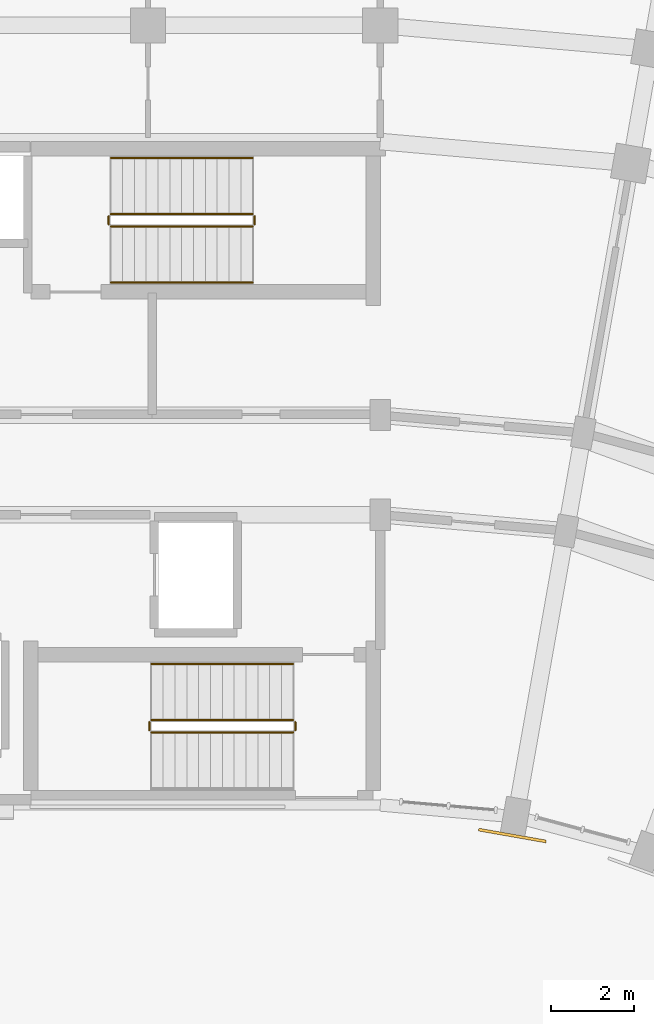
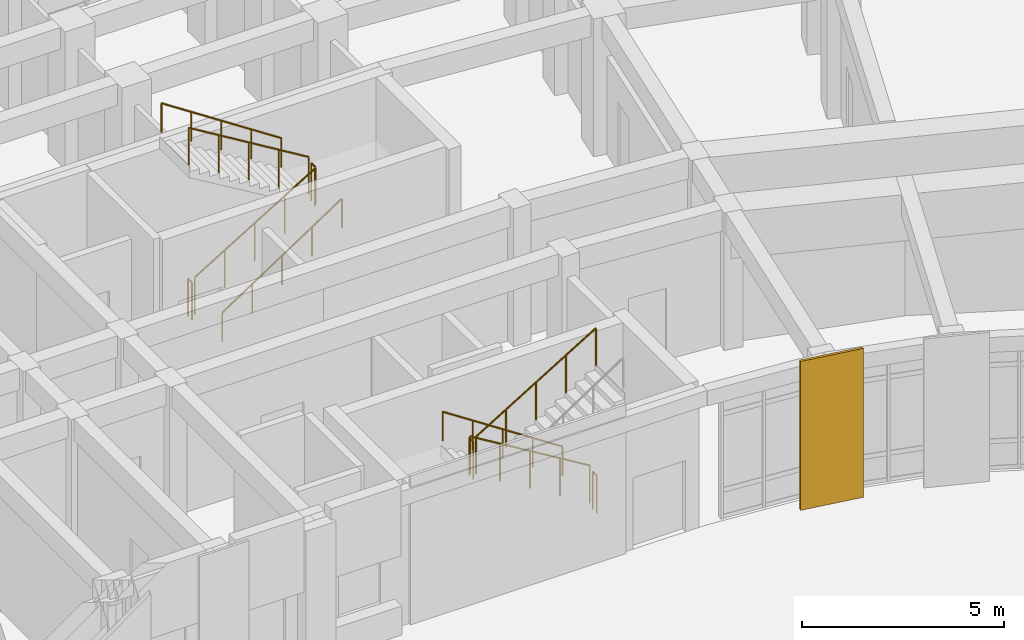
# One storey, part 130 of 135: 11 railings, 1 covering.
"""IFC4 building model written with IfcOpenShell, lengths in metres."""

from ifc_helpers import new_model, si_unit, direction, frame, origin, origin_2d, place, context, subcontext, project, spatial, polyline, circle, outline, extrude, material, layer, layer_set, type_object, element, save


model = new_model("IFC4")

# Units and contexts
model_context = context("Model", 3, precision=1e-05, world=origin(), true_north=direction((0.0, 1.0)))
body_context = subcontext(model_context, "Body", "Model", "MODEL_VIEW")
ifc_project = project(units=[si_unit("LENGTHUNIT", "METRE"), si_unit("AREAUNIT", "SQUARE_METRE"), si_unit("VOLUMEUNIT", "CUBIC_METRE"), si_unit("PLANEANGLEUNIT", "RADIAN"), si_unit("MASSUNIT", "GRAM", prefix="KILO")], contexts=[model_context])

# Site, building, storey
site_placement = place(None, origin())
site = spatial("IfcSite", under=ifc_project, at=site_placement, CompositionType="ELEMENT")
building_placement = place(site_placement, origin())
building = spatial("IfcBuilding", under=site, at=building_placement, Name="Kiranvali Square Residences", CompositionType="ELEMENT")
storey_placement = place(building_placement, origin())
storey = spatial("IfcBuildingStorey", under=building, at=storey_placement, Name="L00", CompositionType="ELEMENT", Elevation=0.0)

# Covering
ifc_material_1 = material(Name="Honed Porbandar limestone ashlar facade cladding", Category="masonry")
ifc_layer = layer(ifc_material_1, 0.050048828125)
ifc_layer_set = layer_set([ifc_layer], Name="Honed Porbandar limestone ashlar facade cladding")
covering_type = type_object("IfcCoveringType", Name="COV-CLAD-PIER-IN", PredefinedType="CLADDING", material=ifc_layer_set)
covering_placement = place(storey_placement, frame((0.0, 0.0, 0.0048828125)))
element("IfcCovering", 1, at=covering_placement, inside=storey, type_object=covering_type, Name="L00 Classical garden courtyard pilaster CLAD-PRIN-B-L00-A01", PredefinedType="CLADDING", context=body_context, shape_type="SweptSolid", body=[
    extrude(outline(polyline([(122.16650390625, 105.97216796875), (123.79150390625, 105.685546875), (123.80322265625, 105.752197265625), (122.17822265625, 106.03857421875), (122.16650390625, 105.97216796875)])), origin(), (0.0, 0.0, 1.0), 4.490234375),
])

# Railings
ifc_material_2 = material(Name="Brushed stainless steel tubular handrail", Category="steel")
railing_type_1 = type_object("IfcRailingType", Name="RL-HANDRAIL-900", PredefinedType="HANDRAIL", material=ifc_material_2)
railing_1_placement = place(storey_placement, frame((113.300048828125, 119.199951171875, 0.173095703125)))
element("IfcRailing", 2, at=railing_1_placement, inside=storey, type_object=railing_type_1, Name="L00 ST-B1 stair handrail 1", PredefinedType="HANDRAIL", context=body_context, shape_type="SweptSolid", body=[
    extrude(circle(Radius=0.02392578125, at=origin_2d()), frame((0.0, 0.0, 0.8759765625), z_axis=(0.835411317272, 0.0, 0.549625264133), x_axis=(0.0, 1.0, 0.0)), (0.0, 0.0, 1.0), 4.09375),
    extrude(circle(Radius=0.02099609375, at=origin_2d()), origin(), (0.0, 0.0, 1.0), 0.851806640625),
    extrude(circle(Radius=0.02099609375, at=origin_2d()), frame((0.85498046875, 0.0, 0.5625)), (0.0, 0.0, 1.0), 0.851806640625),
    extrude(circle(Radius=0.02099609375, at=origin_2d()), frame((1.7099609375, 0.0, 1.125)), (0.0, 0.0, 1.0), 0.851806640625),
    extrude(circle(Radius=0.02099609375, at=origin_2d()), frame((2.56494140625, 0.0, 1.6875)), (0.0, 0.0, 1.0), 0.851806640625),
    extrude(circle(Radius=0.02099609375, at=origin_2d()), frame((3.419921875, 0.0, 2.25)), (0.0, 0.0, 1.0), 0.851806640625),
])
for number, where, name in (
    (3, (116.719970703125, 122.199951171875, 2.423095703125), "L00 ST-B1 stair handrail 2"),
    (4, (117.699951171875, 110.0, 0.173095703125), "L00 ST-B2 stair handrail 1"),
):
    element("IfcRailing", number, at=place(storey_placement, frame(where)), inside=storey, type_object=railing_type_1, Name=name, PredefinedType="HANDRAIL", context=body_context, shape_type="SweptSolid", body=[
        extrude(circle(Radius=0.02392578125, at=origin_2d()), frame((0.0, 0.0, 0.8759765625), z_axis=(-0.835411317272, 0.0, 0.549625264133), x_axis=(0.0, -1.0, 0.0)), (0.0, 0.0, 1.0), 4.09375),
        extrude(circle(Radius=0.02099609375, at=origin_2d()), origin(), (0.0, 0.0, 1.0), 0.851806640625),
        extrude(circle(Radius=0.02099609375, at=origin_2d()), frame((-0.85498046875, 0.0, 0.5625)), (0.0, 0.0, 1.0), 0.851806640625),
        extrude(circle(Radius=0.02099609375, at=origin_2d()), frame((-1.7099609375, 0.0, 1.125)), (0.0, 0.0, 1.0), 0.851806640625),
        extrude(circle(Radius=0.02099609375, at=origin_2d()), frame((-2.56494140625, 0.0, 1.6875)), (0.0, 0.0, 1.0), 0.851806640625),
        extrude(circle(Radius=0.02099609375, at=origin_2d()), frame((-3.419921875, 0.0, 2.25)), (0.0, 0.0, 1.0), 0.851806640625),
    ])
ifc_material_3 = material(Name="Powder-coated architectural bronze balustrade", Category="steel")
railing_type_2 = type_object("IfcRailingType", Name="RL-ST-GUARD-1200", PredefinedType="GUARDRAIL", material=ifc_material_3)
railing_2_placement = place(storey_placement, frame((113.300048828125, 120.550048828125, 0.173095703125)))
element("IfcRailing", 5, at=railing_2_placement, inside=storey, type_object=railing_type_2, Name="L00 ST-B1 stair guard 1", PredefinedType="GUARDRAIL", context=body_context, shape_type="SweptSolid", body=[
    extrude(circle(Radius=0.02392578125, at=origin_2d()), frame((0.0, 0.0, 1.1259765625), z_axis=(0.854729506542, 0.0, 0.519073665916), x_axis=(0.0, 1.0, 0.0)), (0.0, 0.0, 1.0), 4.001220703125),
    extrude(circle(Radius=0.02099609375, at=origin_2d()), origin(), (0.0, 0.0, 1.0), 1.101806640625),
    extrude(circle(Radius=0.02099609375, at=origin_2d()), frame((0.85498046875, 0.0, 0.519287109375)), (0.0, 0.0, 1.0), 1.101806640625),
    extrude(circle(Radius=0.02099609375, at=origin_2d()), frame((1.7099609375, 0.0, 1.03857421875)), (0.0, 0.0, 1.0), 1.101806640625),
    extrude(circle(Radius=0.02099609375, at=origin_2d()), frame((2.56494140625, 0.0, 1.5576171875)), (0.0, 0.0, 1.0), 1.101806640625),
    extrude(circle(Radius=0.02099609375, at=origin_2d()), frame((3.419921875, 0.0, 2.076904296875)), (0.0, 0.0, 1.0), 1.101806640625),
])
railing_3_placement = place(storey_placement, frame((116.77001953125, 120.60009765625, 2.25)))
element("IfcRailing", 6, at=railing_3_placement, inside=storey, type_object=railing_type_2, Name="L00 ST-B1 stair guard 2", PredefinedType="GUARDRAIL", context=body_context, shape_type="SweptSolid", body=[
    extrude(circle(Radius=0.02392578125, at=origin_2d()), frame((0.0, 0.0, 1.1259765625), z_axis=(0.0, 1.0, 0.0), x_axis=(-1.0, 0.0, 0.0)), (0.0, 0.0, 1.0), 0.199951171875),
    extrude(circle(Radius=0.02099609375, at=origin_2d()), origin(), (0.0, 0.0, 1.0), 1.101806640625),
    extrude(circle(Radius=0.02099609375, at=origin_2d()), frame((0.0, 0.199951171875, 0.0)), (0.0, 0.0, 1.0), 1.101806640625),
])
railing_4_placement = place(storey_placement, frame((116.719970703125, 120.85009765625, 2.423095703125)))
element("IfcRailing", 7, at=railing_4_placement, inside=storey, type_object=railing_type_2, Name="L00 ST-B1 stair guard 3", PredefinedType="GUARDRAIL", context=body_context, shape_type="SweptSolid", body=[
    extrude(circle(Radius=0.02392578125, at=origin_2d()), frame((0.0, 0.0, 1.1259765625), z_axis=(-0.854729506542, 0.0, 0.519073665916), x_axis=(0.0, -1.0, 0.0)), (0.0, 0.0, 1.0), 4.001220703125),
    extrude(circle(Radius=0.02099609375, at=origin_2d()), origin(), (0.0, 0.0, 1.0), 1.101806640625),
    extrude(circle(Radius=0.02099609375, at=origin_2d()), frame((-0.85498046875, 0.0, 0.519287109375)), (0.0, 0.0, 1.0), 1.101806640625),
    extrude(circle(Radius=0.02099609375, at=origin_2d()), frame((-1.7099609375, 0.0, 1.03857421875)), (0.0, 0.0, 1.0), 1.101806640625),
    extrude(circle(Radius=0.02099609375, at=origin_2d()), frame((-2.56494140625, 0.0, 1.5576171875)), (0.0, 0.0, 1.0), 1.101806640625),
    extrude(circle(Radius=0.02099609375, at=origin_2d()), frame((-3.419921875, 0.0, 2.076904296875)), (0.0, 0.0, 1.0), 1.101806640625),
])
railing_5_placement = place(storey_placement, frame((113.25, 120.60009765625, 0.0)))
element("IfcRailing", 8, at=railing_5_placement, inside=storey, type_object=railing_type_2, Name="L00 ST-B1 stair guard 4", PredefinedType="GUARDRAIL", context=body_context, shape_type="SweptSolid", body=[
    extrude(circle(Radius=0.02392578125, at=origin_2d()), frame((0.0, 0.0, 1.1259765625), z_axis=(0.0, 1.0, 0.0), x_axis=(-1.0, 0.0, 0.0)), (0.0, 0.0, 1.0), 0.199951171875),
    extrude(circle(Radius=0.02099609375, at=origin_2d()), origin(), (0.0, 0.0, 1.0), 1.101806640625),
    extrude(circle(Radius=0.02099609375, at=origin_2d()), frame((0.0, 0.199951171875, 0.0)), (0.0, 0.0, 1.0), 1.101806640625),
])
railing_6_placement = place(storey_placement, frame((117.699951171875, 108.64990234375, 0.173095703125)))
element("IfcRailing", 9, at=railing_6_placement, inside=storey, type_object=railing_type_2, Name="L00 ST-B2 stair guard 1", PredefinedType="GUARDRAIL", context=body_context, shape_type="SweptSolid", body=[
    extrude(circle(Radius=0.02392578125, at=origin_2d()), frame((0.0, 0.0, 1.1259765625), z_axis=(-0.854729506542, 0.0, 0.519073665916), x_axis=(0.0, -1.0, 0.0)), (0.0, 0.0, 1.0), 4.001220703125),
    extrude(circle(Radius=0.02099609375, at=origin_2d()), origin(), (0.0, 0.0, 1.0), 1.101806640625),
    extrude(circle(Radius=0.02099609375, at=origin_2d()), frame((-0.85498046875, 0.0, 0.519287109375)), (0.0, 0.0, 1.0), 1.101806640625),
    extrude(circle(Radius=0.02099609375, at=origin_2d()), frame((-1.7099609375, 0.0, 1.03857421875)), (0.0, 0.0, 1.0), 1.101806640625),
    extrude(circle(Radius=0.02099609375, at=origin_2d()), frame((-2.56494140625, 0.0, 1.5576171875)), (0.0, 0.0, 1.0), 1.101806640625),
    extrude(circle(Radius=0.02099609375, at=origin_2d()), frame((-3.419921875, 0.0, 2.076904296875)), (0.0, 0.0, 1.0), 1.101806640625),
])
railing_7_placement = place(storey_placement, frame((114.22998046875, 108.60009765625, 2.25)))
element("IfcRailing", 10, at=railing_7_placement, inside=storey, type_object=railing_type_2, Name="L00 ST-B2 stair guard 2", PredefinedType="GUARDRAIL", context=body_context, shape_type="SweptSolid", body=[
    extrude(circle(Radius=0.02392578125, at=origin_2d()), frame((0.0, 0.0, 1.1259765625), z_axis=(0.0, -1.0, 0.0), x_axis=(1.0, 0.0, 0.0)), (0.0, 0.0, 1.0), 0.2001953125),
    extrude(circle(Radius=0.02099609375, at=origin_2d()), origin(), (0.0, 0.0, 1.0), 1.101806640625),
    extrude(circle(Radius=0.02099609375, at=origin_2d()), frame((0.0, -0.2001953125, 0.0)), (0.0, 0.0, 1.0), 1.101806640625),
])
railing_8_placement = place(storey_placement, frame((114.280029296875, 108.35009765625, 2.423095703125)))
element("IfcRailing", 11, at=railing_8_placement, inside=storey, type_object=railing_type_2, Name="L00 ST-B2 stair guard 3", PredefinedType="GUARDRAIL", context=body_context, shape_type="SweptSolid", body=[
    extrude(circle(Radius=0.02392578125, at=origin_2d()), frame((0.0, 0.0, 1.1259765625), z_axis=(0.854729506542, 0.0, 0.519073665916), x_axis=(0.0, 1.0, 0.0)), (0.0, 0.0, 1.0), 4.001220703125),
    extrude(circle(Radius=0.02099609375, at=origin_2d()), origin(), (0.0, 0.0, 1.0), 1.101806640625),
    extrude(circle(Radius=0.02099609375, at=origin_2d()), frame((0.85498046875, 0.0, 0.519287109375)), (0.0, 0.0, 1.0), 1.101806640625),
    extrude(circle(Radius=0.02099609375, at=origin_2d()), frame((1.7099609375, 0.0, 1.03857421875)), (0.0, 0.0, 1.0), 1.101806640625),
    extrude(circle(Radius=0.02099609375, at=origin_2d()), frame((2.56494140625, 0.0, 1.5576171875)), (0.0, 0.0, 1.0), 1.101806640625),
    extrude(circle(Radius=0.02099609375, at=origin_2d()), frame((3.419921875, 0.0, 2.076904296875)), (0.0, 0.0, 1.0), 1.101806640625),
])
railing_9_placement = place(storey_placement, frame((117.75, 108.60009765625, 0.0)))
element("IfcRailing", 12, at=railing_9_placement, inside=storey, type_object=railing_type_2, Name="L00 ST-B2 stair guard 4", PredefinedType="GUARDRAIL", context=body_context, shape_type="SweptSolid", body=[
    extrude(circle(Radius=0.02392578125, at=origin_2d()), frame((0.0, 0.0, 1.1259765625), z_axis=(0.0, -1.0, 0.0), x_axis=(1.0, 0.0, 0.0)), (0.0, 0.0, 1.0), 0.2001953125),
    extrude(circle(Radius=0.02099609375, at=origin_2d()), origin(), (0.0, 0.0, 1.0), 1.101806640625),
    extrude(circle(Radius=0.02099609375, at=origin_2d()), frame((0.0, -0.2001953125, 0.0)), (0.0, 0.0, 1.0), 1.101806640625),
])

save(model, "model.ifc")
